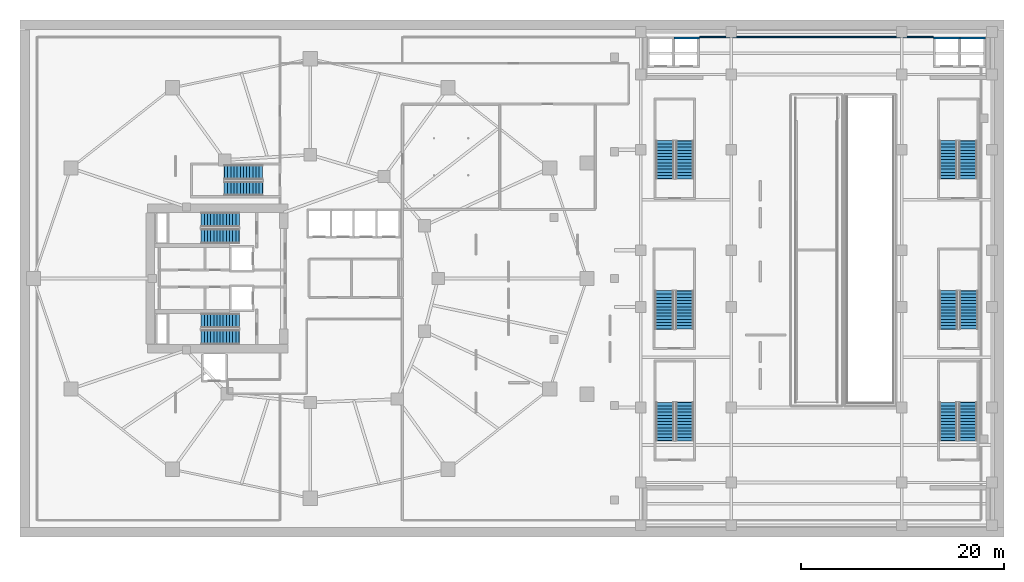
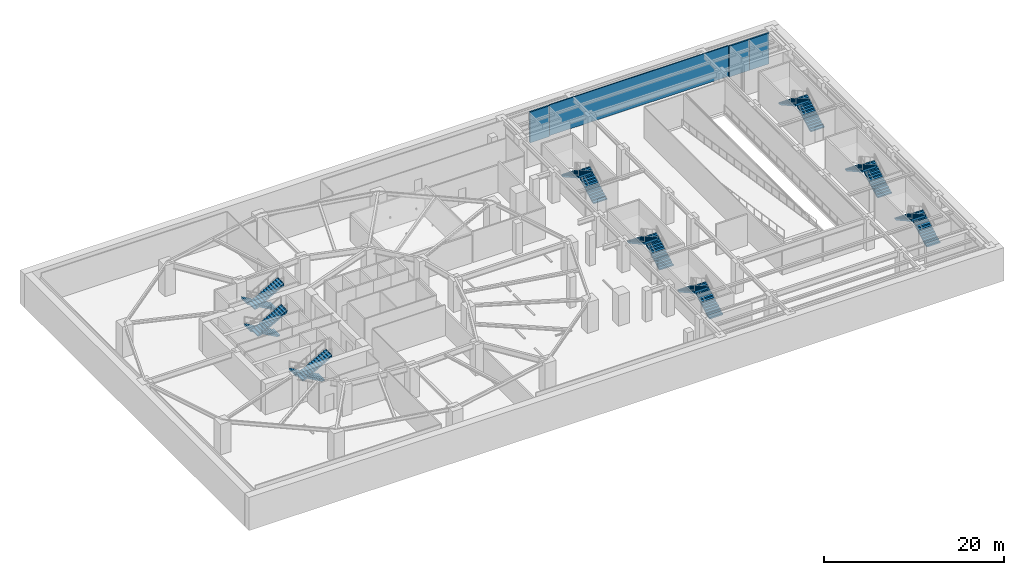
# One storey, part 10 of 16: 18 stair flights, 4 walls, 9 elements without a shape of their own.
"""IFC4 building model written with IfcOpenShell, lengths in metres."""

from ifc_helpers import new_model, si_unit, direction, frame, frame_2d, origin, place, context, subcontext, project, spatial, polyline, rectangle, outline, extrude, material, layer, layer_set, type_object, element, aggregate, save


model = new_model("IFC4")

# Units and contexts
model_context = context("Model", 3, precision=1e-05, world=origin(), true_north=direction((0.0, 1.0)))
body_context = subcontext(model_context, "Body", "Model", "MODEL_VIEW")
ifc_project = project(units=[si_unit("LENGTHUNIT", "METRE"), si_unit("AREAUNIT", "SQUARE_METRE"), si_unit("VOLUMEUNIT", "CUBIC_METRE"), si_unit("PLANEANGLEUNIT", "RADIAN"), si_unit("MASSUNIT", "GRAM", prefix="KILO")], contexts=[model_context])

# Site, building, storey
site_placement = place(None, origin())
site = spatial("IfcSite", under=ifc_project, at=site_placement, CompositionType="ELEMENT")
building_placement = place(site_placement, origin())
building = spatial("IfcBuilding", under=site, at=building_placement, Name="Kolvaren Gate Tower and Convention Centre", CompositionType="ELEMENT")
storey_placement = place(building_placement, frame((0.0, 0.0, -9.0)))
storey = spatial("IfcBuildingStorey", under=building, at=storey_placement, Name="B2", CompositionType="ELEMENT", Elevation=-9.0)

# Walls
ifc_material_1 = material(Name="Fire-Rated Acoustic Gypsum Stud Partition", Category="gypsum")
ifc_layer_1 = layer(ifc_material_1, 0.1201171875)
ifc_layer_set_1 = layer_set([ifc_layer_1], Name="Fire-Rated Acoustic Gypsum Stud Partition")
wall_type_1 = type_object("IfcWallType", Name="ARCH-WL-PART-120", PredefinedType="PARTITIONING", material=ifc_layer_set_1)
wall_1_placement = place(storey_placement, frame((68.5, 50.800048828125, 0.0), z_axis=(0.0, 0.0, 1.0), x_axis=(1.0, 0.0, 0.0)))
element("IfcWall", 1, at=wall_1_placement, inside=storey, type_object=wall_type_1, Name="Interior Partition WL-B2-INT-031", PredefinedType="PARTITIONING", context=body_context, shape_type="SweptSolid", body=[
    extrude(rectangle(XDim=23.0, YDim=0.1201171875, at=frame_2d((11.5, 0.0))), origin(), (0.0, 0.0, 1.0), 4.179931640625),
])
ifc_material_2 = material(Name="Autoclaved Aerated Masonry Blockwork Class 4 (4.0 MPa)", Category="masonry")
ifc_layer_2 = layer(ifc_material_2, 0.199951171875)
ifc_layer_set_2 = layer_set([ifc_layer_2], Name="Autoclaved Aerated Masonry Blockwork Class 4 (4.0 MPa)")
wall_type_2 = type_object("IfcWallType", Name="ARCH-WL-SHAFT-200", PredefinedType="SOLIDWALL", material=ifc_layer_set_2)
wall_2_placement = place(storey_placement, frame((65.949951171875, 50.699951171875, 0.0), z_axis=(0.0, 0.0, 1.0), x_axis=(1.0, 0.0, 0.0)))
element("IfcWall", 2, at=wall_2_placement, inside=storey, type_object=wall_type_2, Name="Elevator CL-02 B2 Fire Shaft Wall N", PredefinedType="SOLIDWALL", context=body_context, shape_type="SweptSolid", body=[
    extrude(rectangle(XDim=2.5, YDim=0.199951171875, at=frame_2d((1.25, 0.0))), origin(), (0.0, 0.0, 1.0), 4.179931640625),
])
wall_3_placement = place(storey_placement, frame((91.550048828125, 50.699951171875, 0.0), z_axis=(0.0, 0.0, 1.0), x_axis=(1.0, 0.0, 0.0)))
element("IfcWall", 3, at=wall_3_placement, inside=storey, type_object=wall_type_2, Name="Elevator CL-03 B2 Fire Shaft Wall N", PredefinedType="SOLIDWALL", context=body_context, shape_type="SweptSolid", body=[
    extrude(rectangle(XDim=2.599853515625, YDim=0.199951171875, at=frame_2d((1.2998046875, 0.0))), origin(), (0.0, 0.0, 1.0), 4.179931640625),
])
wall_4_placement = place(storey_placement, frame((94.14990234375, 50.699951171875, 0.0), z_axis=(0.0, 0.0, 1.0), x_axis=(1.0, 0.0, 0.0)))
element("IfcWall", 4, at=wall_4_placement, inside=storey, type_object=wall_type_2, Name="Elevator CL-04 B2 Fire Shaft Wall N", PredefinedType="SOLIDWALL", context=body_context, shape_type="SweptSolid", body=[
    extrude(rectangle(XDim=2.5, YDim=0.199951171875, at=frame_2d((1.25, 0.0))), origin(), (0.0, 0.0, 1.0), 4.179931640625),
])

# Stair, stair flights
ifc_material_3 = material(Name="Concrete C50/60", Category="concrete")
stair_type_1 = type_object("IfcStairType", Name="STR-STAIR-CORE", PredefinedType="HALF_TURN_STAIR", material=ifc_material_3)
stair_1_placement = place(storey_placement, origin())
stair_1 = element("IfcStair", 5, at=stair_1_placement, inside=storey, type_object=stair_type_1, Name="B2 Tower North Exit Stair ST-T1", PredefinedType="HALF_TURN_STAIR")
stair_flight_type_1 = type_object("IfcStairFlightType", Name="STR-SFL-1420", PredefinedType="STRAIGHT", material=ifc_material_3)
stair_flight_1_placement = place(storey_placement, frame((23.10009765625, 32.7900390625, 0.0), z_axis=(0.0, 0.0, 1.0), x_axis=(-1.0, 0.0, 0.0)))
stair_flight_1 = element("IfcStairFlight", 6, at=stair_flight_1_placement, type_object=stair_flight_type_1, Name="ST-T1 flight 1", NumberOfRisers=13, NumberOfTreads=12, PredefinedType="STRAIGHT", RiserHeight=0.173076923, TreadLength=0.31, context=body_context, shape_type="SweptSolid", body=[
    extrude(outline(polyline([(-0.034912109375, 0.0), (-0.034912109375, 0.173095703125), (0.31005859375, 0.173095703125), (0.31005859375, 0.34619140625), (0.6201171875, 0.34619140625), (0.6201171875, 0.519287109375), (0.929931640625, 0.519287109375), (0.929931640625, 0.6923828125), (1.239990234375, 0.6923828125), (1.239990234375, 0.865478515625), (1.550048828125, 0.865478515625), (1.550048828125, 1.03857421875), (1.860107421875, 1.03857421875), (1.860107421875, 1.21142578125), (2.169921875, 1.21142578125), (2.169921875, 1.384521484375), (2.47998046875, 1.384521484375), (2.47998046875, 1.5576171875), (2.7900390625, 1.5576171875), (2.7900390625, 1.730712890625), (3.10009765625, 1.730712890625), (3.10009765625, 1.90380859375), (3.409912109375, 1.90380859375), (3.409912109375, 2.076904296875), (3.719970703125, 2.076904296875), (3.719970703125, 2.25), (3.764892578125, 2.25), (3.764892578125, 2.090087890625), (3.719970703125, 1.9052734375), (0.3076171875, 0.0), (-0.034912109375, 0.0)])), frame((0.0, 0.7099609375, 0.0), z_axis=(0.0, -1.0, 0.0), x_axis=(1.0, 0.0, 0.0)), (0.0, 0.0, 1.0), 1.419921875),
])
stair_flight_2_placement = place(storey_placement, frame((19.3798828125, 31.169921875, 2.25), z_axis=(0.0, 0.0, 1.0), x_axis=(1.0, 0.0, 0.0)))
stair_flight_2 = element("IfcStairFlight", 7, at=stair_flight_2_placement, type_object=stair_flight_type_1, Name="ST-T1 flight 2", NumberOfRisers=13, NumberOfTreads=12, PredefinedType="STRAIGHT", RiserHeight=0.173076923, TreadLength=0.31, context=body_context, shape_type="SweptSolid", body=[
    extrude(outline(polyline([(-0.034912109375, 0.0), (-0.034912109375, 0.173095703125), (0.31005859375, 0.173095703125), (0.31005859375, 0.34619140625), (0.6201171875, 0.34619140625), (0.6201171875, 0.519287109375), (0.929931640625, 0.519287109375), (0.929931640625, 0.6923828125), (1.239990234375, 0.6923828125), (1.239990234375, 0.865478515625), (1.550048828125, 0.865478515625), (1.550048828125, 1.03857421875), (1.860107421875, 1.03857421875), (1.860107421875, 1.21142578125), (2.169921875, 1.21142578125), (2.169921875, 1.384521484375), (2.47998046875, 1.384521484375), (2.47998046875, 1.5576171875), (2.7900390625, 1.5576171875), (2.7900390625, 1.730712890625), (3.10009765625, 1.730712890625), (3.10009765625, 1.90380859375), (3.409912109375, 1.90380859375), (3.409912109375, 2.076904296875), (3.719970703125, 2.076904296875), (3.719970703125, 2.25), (3.764892578125, 2.25), (3.764892578125, 2.090087890625), (3.719970703125, 1.9052734375), (0.3076171875, 0.0), (-0.034912109375, 0.0)])), frame((0.0, 0.7099609375, 0.0), z_axis=(0.0, -1.0, 0.0), x_axis=(1.0, 0.0, 0.0)), (0.0, 0.0, 1.0), 1.419921875),
])
aggregate(stair_1, [stair_flight_1, stair_flight_2])

stair_2_placement = place(storey_placement, origin())
stair_2 = element("IfcStair", 8, at=stair_2_placement, inside=storey, type_object=stair_type_1, Name="B2 Tower South Exit Stair ST-T2", PredefinedType="HALF_TURN_STAIR")
stair_flight_3_placement = place(storey_placement, frame((23.10009765625, 22.830078125, 0.0), z_axis=(0.0, 0.0, 1.0), x_axis=(-1.0, 0.0, 0.0)))
stair_flight_3 = element("IfcStairFlight", 9, at=stair_flight_3_placement, type_object=stair_flight_type_1, Name="ST-T2 flight 1", NumberOfRisers=13, NumberOfTreads=12, PredefinedType="STRAIGHT", RiserHeight=0.173076923, TreadLength=0.31, context=body_context, shape_type="SweptSolid", body=[
    extrude(outline(polyline([(-0.034912109375, 0.0), (-0.034912109375, 0.173095703125), (0.31005859375, 0.173095703125), (0.31005859375, 0.34619140625), (0.6201171875, 0.34619140625), (0.6201171875, 0.519287109375), (0.929931640625, 0.519287109375), (0.929931640625, 0.6923828125), (1.239990234375, 0.6923828125), (1.239990234375, 0.865478515625), (1.550048828125, 0.865478515625), (1.550048828125, 1.03857421875), (1.860107421875, 1.03857421875), (1.860107421875, 1.21142578125), (2.169921875, 1.21142578125), (2.169921875, 1.384521484375), (2.47998046875, 1.384521484375), (2.47998046875, 1.5576171875), (2.7900390625, 1.5576171875), (2.7900390625, 1.730712890625), (3.10009765625, 1.730712890625), (3.10009765625, 1.90380859375), (3.409912109375, 1.90380859375), (3.409912109375, 2.076904296875), (3.719970703125, 2.076904296875), (3.719970703125, 2.25), (3.764892578125, 2.25), (3.764892578125, 2.090087890625), (3.719970703125, 1.9052734375), (0.3076171875, 0.0), (-0.034912109375, 0.0)])), frame((0.0, 0.7099609375, 0.0), z_axis=(0.0, -1.0, 0.0), x_axis=(1.0, 0.0, 0.0)), (0.0, 0.0, 1.0), 1.419921875),
])
stair_flight_4_placement = place(storey_placement, frame((19.3798828125, 21.2099609375, 2.25), z_axis=(0.0, 0.0, 1.0), x_axis=(1.0, 0.0, 0.0)))
stair_flight_4 = element("IfcStairFlight", 10, at=stair_flight_4_placement, type_object=stair_flight_type_1, Name="ST-T2 flight 2", NumberOfRisers=13, NumberOfTreads=12, PredefinedType="STRAIGHT", RiserHeight=0.173076923, TreadLength=0.31, context=body_context, shape_type="SweptSolid", body=[
    extrude(outline(polyline([(-0.034912109375, 0.0), (-0.034912109375, 0.173095703125), (0.31005859375, 0.173095703125), (0.31005859375, 0.34619140625), (0.6201171875, 0.34619140625), (0.6201171875, 0.519287109375), (0.929931640625, 0.519287109375), (0.929931640625, 0.6923828125), (1.239990234375, 0.6923828125), (1.239990234375, 0.865478515625), (1.550048828125, 0.865478515625), (1.550048828125, 1.03857421875), (1.860107421875, 1.03857421875), (1.860107421875, 1.21142578125), (2.169921875, 1.21142578125), (2.169921875, 1.384521484375), (2.47998046875, 1.384521484375), (2.47998046875, 1.5576171875), (2.7900390625, 1.5576171875), (2.7900390625, 1.730712890625), (3.10009765625, 1.730712890625), (3.10009765625, 1.90380859375), (3.409912109375, 1.90380859375), (3.409912109375, 2.076904296875), (3.719970703125, 2.076904296875), (3.719970703125, 2.25), (3.764892578125, 2.25), (3.764892578125, 2.090087890625), (3.719970703125, 1.9052734375), (0.3076171875, 0.0), (-0.034912109375, 0.0)])), frame((0.0, 0.7099609375, 0.0), z_axis=(0.0, -1.0, 0.0), x_axis=(1.0, 0.0, 0.0)), (0.0, 0.0, 1.0), 1.419921875),
])
aggregate(stair_2, [stair_flight_3, stair_flight_4])

stair_3_placement = place(storey_placement, origin())
stair_3 = element("IfcStair", 11, at=stair_3_placement, inside=storey, type_object=stair_type_1, Name="B2 Tower Mid-Zone Exit Stair ST-T3", PredefinedType="HALF_TURN_STAIR")
stair_flight_5_placement = place(storey_placement, frame((25.39990234375, 37.489990234375, 0.0), z_axis=(0.0, 0.0, 1.0), x_axis=(-1.0, 0.0, 0.0)))
stair_flight_5 = element("IfcStairFlight", 12, at=stair_flight_5_placement, type_object=stair_flight_type_1, Name="ST-T3 flight 1", NumberOfRisers=13, NumberOfTreads=12, PredefinedType="STRAIGHT", RiserHeight=0.173076923, TreadLength=0.31, context=body_context, shape_type="SweptSolid", body=[
    extrude(outline(polyline([(-0.034912109375, 0.0), (-0.034912109375, 0.173095703125), (0.31005859375, 0.173095703125), (0.31005859375, 0.34619140625), (0.6201171875, 0.34619140625), (0.6201171875, 0.519287109375), (0.929931640625, 0.519287109375), (0.929931640625, 0.6923828125), (1.239990234375, 0.6923828125), (1.239990234375, 0.865478515625), (1.550048828125, 0.865478515625), (1.550048828125, 1.03857421875), (1.860107421875, 1.03857421875), (1.860107421875, 1.21142578125), (2.169921875, 1.21142578125), (2.169921875, 1.384521484375), (2.47998046875, 1.384521484375), (2.47998046875, 1.5576171875), (2.7900390625, 1.5576171875), (2.7900390625, 1.730712890625), (3.10009765625, 1.730712890625), (3.10009765625, 1.90380859375), (3.409912109375, 1.90380859375), (3.409912109375, 2.076904296875), (3.719970703125, 2.076904296875), (3.719970703125, 2.25), (3.764892578125, 2.25), (3.764892578125, 2.090087890625), (3.719970703125, 1.9052734375), (0.3076171875, 0.0), (-0.034912109375, 0.0)])), frame((0.0, 0.7099609375, 0.0), z_axis=(0.0, -1.0, 0.0), x_axis=(1.0, 0.0, 0.0)), (0.0, 0.0, 1.0), 1.419921875),
])
stair_flight_6_placement = place(storey_placement, frame((21.679931640625, 35.8701171875, 2.25), z_axis=(0.0, 0.0, 1.0), x_axis=(1.0, 0.0, 0.0)))
stair_flight_6 = element("IfcStairFlight", 13, at=stair_flight_6_placement, type_object=stair_flight_type_1, Name="ST-T3 flight 2", NumberOfRisers=13, NumberOfTreads=12, PredefinedType="STRAIGHT", RiserHeight=0.173076923, TreadLength=0.31, context=body_context, shape_type="SweptSolid", body=[
    extrude(outline(polyline([(-0.034912109375, 0.0), (-0.034912109375, 0.173095703125), (0.31005859375, 0.173095703125), (0.31005859375, 0.34619140625), (0.6201171875, 0.34619140625), (0.6201171875, 0.519287109375), (0.929931640625, 0.519287109375), (0.929931640625, 0.6923828125), (1.239990234375, 0.6923828125), (1.239990234375, 0.865478515625), (1.550048828125, 0.865478515625), (1.550048828125, 1.03857421875), (1.860107421875, 1.03857421875), (1.860107421875, 1.21142578125), (2.169921875, 1.21142578125), (2.169921875, 1.384521484375), (2.47998046875, 1.384521484375), (2.47998046875, 1.5576171875), (2.7900390625, 1.5576171875), (2.7900390625, 1.730712890625), (3.10009765625, 1.730712890625), (3.10009765625, 1.90380859375), (3.409912109375, 1.90380859375), (3.409912109375, 2.076904296875), (3.719970703125, 2.076904296875), (3.719970703125, 2.25), (3.764892578125, 2.25), (3.764892578125, 2.090087890625), (3.719970703125, 1.9052734375), (0.3076171875, 0.0), (-0.034912109375, 0.0)])), frame((0.0, 0.7099609375, 0.0), z_axis=(0.0, -1.0, 0.0), x_axis=(1.0, 0.0, 0.0)), (0.0, 0.0, 1.0), 1.419921875),
])
aggregate(stair_3, [stair_flight_5, stair_flight_6])

stair_type_2 = type_object("IfcStairType", Name="STR-STAIR-CONV", PredefinedType="HALF_TURN_STAIR", material=ifc_material_3)
stair_4_placement = place(storey_placement, origin())
stair_4 = element("IfcStair", 14, at=stair_4_placement, inside=storey, type_object=stair_type_2, Name="B2 Convention NW Exit Stair ST-C1", PredefinedType="HALF_TURN_STAIR")
stair_flight_type_2 = type_object("IfcStairFlightType", Name="STR-SFL-1750", PredefinedType="STRAIGHT", material=ifc_material_3)
stair_flight_7_placement = place(storey_placement, frame((67.02490234375, 36.85009765625, 0.0), z_axis=(0.0, 0.0, 1.0), x_axis=(0.0, 1.0, 0.0)))
stair_flight_7 = element("IfcStairFlight", 15, at=stair_flight_7_placement, type_object=stair_flight_type_2, Name="ST-C1 flight 1", NumberOfRisers=13, NumberOfTreads=12, PredefinedType="STRAIGHT", RiserHeight=0.173076923, TreadLength=0.31, context=body_context, shape_type="SweptSolid", body=[
    extrude(outline(polyline([(-0.034912109375, 0.0), (-0.034912109375, 0.173095703125), (0.31005859375, 0.173095703125), (0.31005859375, 0.34619140625), (0.6201171875, 0.34619140625), (0.6201171875, 0.519287109375), (0.929931640625, 0.519287109375), (0.929931640625, 0.6923828125), (1.239990234375, 0.6923828125), (1.239990234375, 0.865478515625), (1.550048828125, 0.865478515625), (1.550048828125, 1.03857421875), (1.860107421875, 1.03857421875), (1.860107421875, 1.21142578125), (2.169921875, 1.21142578125), (2.169921875, 1.384521484375), (2.47998046875, 1.384521484375), (2.47998046875, 1.5576171875), (2.7900390625, 1.5576171875), (2.7900390625, 1.730712890625), (3.10009765625, 1.730712890625), (3.10009765625, 1.90380859375), (3.409912109375, 1.90380859375), (3.409912109375, 2.076904296875), (3.719970703125, 2.076904296875), (3.719970703125, 2.25), (3.764892578125, 2.25), (3.764892578125, 2.090087890625), (3.719970703125, 1.9052734375), (0.3076171875, 0.0), (-0.034912109375, 0.0)])), frame((0.0, 0.875, 0.0), z_axis=(0.0, -1.0, 0.0), x_axis=(1.0, 0.0, 0.0)), (0.0, 0.0, 1.0), 1.75),
])
stair_flight_8_placement = place(storey_placement, frame((65.074951171875, 40.570068359375, 2.25), z_axis=(0.0, 0.0, 1.0), x_axis=(0.0, -1.0, 0.0)))
stair_flight_8 = element("IfcStairFlight", 16, at=stair_flight_8_placement, type_object=stair_flight_type_2, Name="ST-C1 flight 2", NumberOfRisers=13, NumberOfTreads=12, PredefinedType="STRAIGHT", RiserHeight=0.173076923, TreadLength=0.31, context=body_context, shape_type="SweptSolid", body=[
    extrude(outline(polyline([(-0.034912109375, 0.0), (-0.034912109375, 0.173095703125), (0.31005859375, 0.173095703125), (0.31005859375, 0.34619140625), (0.6201171875, 0.34619140625), (0.6201171875, 0.519287109375), (0.929931640625, 0.519287109375), (0.929931640625, 0.6923828125), (1.239990234375, 0.6923828125), (1.239990234375, 0.865478515625), (1.550048828125, 0.865478515625), (1.550048828125, 1.03857421875), (1.860107421875, 1.03857421875), (1.860107421875, 1.21142578125), (2.169921875, 1.21142578125), (2.169921875, 1.384521484375), (2.47998046875, 1.384521484375), (2.47998046875, 1.5576171875), (2.7900390625, 1.5576171875), (2.7900390625, 1.730712890625), (3.10009765625, 1.730712890625), (3.10009765625, 1.90380859375), (3.409912109375, 1.90380859375), (3.409912109375, 2.076904296875), (3.719970703125, 2.076904296875), (3.719970703125, 2.25), (3.764892578125, 2.25), (3.764892578125, 2.090087890625), (3.719970703125, 1.9052734375), (0.3076171875, 0.0), (-0.034912109375, 0.0)])), frame((0.0, 0.875, 0.0), z_axis=(0.0, -1.0, 0.0), x_axis=(1.0, 0.0, 0.0)), (0.0, 0.0, 1.0), 1.75),
])
aggregate(stair_4, [stair_flight_7, stair_flight_8])

stair_5_placement = place(storey_placement, origin())
stair_5 = element("IfcStair", 17, at=stair_5_placement, inside=storey, type_object=stair_type_2, Name="B2 Convention SW Exit Stair ST-C2", PredefinedType="HALF_TURN_STAIR")
stair_flight_9_placement = place(storey_placement, frame((67.02490234375, 11.050048828125, 0.0), z_axis=(0.0, 0.0, 1.0), x_axis=(0.0, 1.0, 0.0)))
stair_flight_9 = element("IfcStairFlight", 18, at=stair_flight_9_placement, type_object=stair_flight_type_2, Name="ST-C2 flight 1", NumberOfRisers=13, NumberOfTreads=12, PredefinedType="STRAIGHT", RiserHeight=0.173076923, TreadLength=0.31, context=body_context, shape_type="SweptSolid", body=[
    extrude(outline(polyline([(-0.034912109375, 0.0), (-0.034912109375, 0.173095703125), (0.31005859375, 0.173095703125), (0.31005859375, 0.34619140625), (0.6201171875, 0.34619140625), (0.6201171875, 0.519287109375), (0.929931640625, 0.519287109375), (0.929931640625, 0.6923828125), (1.239990234375, 0.6923828125), (1.239990234375, 0.865478515625), (1.550048828125, 0.865478515625), (1.550048828125, 1.03857421875), (1.860107421875, 1.03857421875), (1.860107421875, 1.21142578125), (2.169921875, 1.21142578125), (2.169921875, 1.384521484375), (2.47998046875, 1.384521484375), (2.47998046875, 1.5576171875), (2.7900390625, 1.5576171875), (2.7900390625, 1.730712890625), (3.10009765625, 1.730712890625), (3.10009765625, 1.90380859375), (3.409912109375, 1.90380859375), (3.409912109375, 2.076904296875), (3.719970703125, 2.076904296875), (3.719970703125, 2.25), (3.764892578125, 2.25), (3.764892578125, 2.090087890625), (3.719970703125, 1.9052734375), (0.3076171875, 0.0), (-0.034912109375, 0.0)])), frame((0.0, 0.875, 0.0), z_axis=(0.0, -1.0, 0.0), x_axis=(1.0, 0.0, 0.0)), (0.0, 0.0, 1.0), 1.75),
])
stair_flight_10_placement = place(storey_placement, frame((65.074951171875, 14.77001953125, 2.25), z_axis=(0.0, 0.0, 1.0), x_axis=(0.0, -1.0, 0.0)))
stair_flight_10 = element("IfcStairFlight", 19, at=stair_flight_10_placement, type_object=stair_flight_type_2, Name="ST-C2 flight 2", NumberOfRisers=13, NumberOfTreads=12, PredefinedType="STRAIGHT", RiserHeight=0.173076923, TreadLength=0.31, context=body_context, shape_type="SweptSolid", body=[
    extrude(outline(polyline([(-0.034912109375, 0.0), (-0.034912109375, 0.173095703125), (0.31005859375, 0.173095703125), (0.31005859375, 0.34619140625), (0.6201171875, 0.34619140625), (0.6201171875, 0.519287109375), (0.929931640625, 0.519287109375), (0.929931640625, 0.6923828125), (1.239990234375, 0.6923828125), (1.239990234375, 0.865478515625), (1.550048828125, 0.865478515625), (1.550048828125, 1.03857421875), (1.860107421875, 1.03857421875), (1.860107421875, 1.21142578125), (2.169921875, 1.21142578125), (2.169921875, 1.384521484375), (2.47998046875, 1.384521484375), (2.47998046875, 1.5576171875), (2.7900390625, 1.5576171875), (2.7900390625, 1.730712890625), (3.10009765625, 1.730712890625), (3.10009765625, 1.90380859375), (3.409912109375, 1.90380859375), (3.409912109375, 2.076904296875), (3.719970703125, 2.076904296875), (3.719970703125, 2.25), (3.764892578125, 2.25), (3.764892578125, 2.090087890625), (3.719970703125, 1.9052734375), (0.3076171875, 0.0), (-0.034912109375, 0.0)])), frame((0.0, 0.875, 0.0), z_axis=(0.0, -1.0, 0.0), x_axis=(1.0, 0.0, 0.0)), (0.0, 0.0, 1.0), 1.75),
])
aggregate(stair_5, [stair_flight_9, stair_flight_10])

stair_6_placement = place(storey_placement, origin())
stair_6 = element("IfcStair", 20, at=stair_6_placement, inside=storey, type_object=stair_type_2, Name="B2 Convention NE Exit Stair ST-C3", PredefinedType="HALF_TURN_STAIR")
stair_flight_11_placement = place(storey_placement, frame((94.925048828125, 36.85009765625, 0.0), z_axis=(0.0, 0.0, 1.0), x_axis=(0.0, 1.0, 0.0)))
stair_flight_11 = element("IfcStairFlight", 21, at=stair_flight_11_placement, type_object=stair_flight_type_2, Name="ST-C3 flight 1", NumberOfRisers=13, NumberOfTreads=12, PredefinedType="STRAIGHT", RiserHeight=0.173076923, TreadLength=0.31, context=body_context, shape_type="SweptSolid", body=[
    extrude(outline(polyline([(-0.034912109375, 0.0), (-0.034912109375, 0.173095703125), (0.31005859375, 0.173095703125), (0.31005859375, 0.34619140625), (0.6201171875, 0.34619140625), (0.6201171875, 0.519287109375), (0.929931640625, 0.519287109375), (0.929931640625, 0.6923828125), (1.239990234375, 0.6923828125), (1.239990234375, 0.865478515625), (1.550048828125, 0.865478515625), (1.550048828125, 1.03857421875), (1.860107421875, 1.03857421875), (1.860107421875, 1.21142578125), (2.169921875, 1.21142578125), (2.169921875, 1.384521484375), (2.47998046875, 1.384521484375), (2.47998046875, 1.5576171875), (2.7900390625, 1.5576171875), (2.7900390625, 1.730712890625), (3.10009765625, 1.730712890625), (3.10009765625, 1.90380859375), (3.409912109375, 1.90380859375), (3.409912109375, 2.076904296875), (3.719970703125, 2.076904296875), (3.719970703125, 2.25), (3.764892578125, 2.25), (3.764892578125, 2.090087890625), (3.719970703125, 1.9052734375), (0.3076171875, 0.0), (-0.034912109375, 0.0)])), frame((0.0, 0.875, 0.0), z_axis=(0.0, -1.0, 0.0), x_axis=(1.0, 0.0, 0.0)), (0.0, 0.0, 1.0), 1.75),
])
stair_flight_12_placement = place(storey_placement, frame((92.97509765625, 40.570068359375, 2.25), z_axis=(0.0, 0.0, 1.0), x_axis=(0.0, -1.0, 0.0)))
stair_flight_12 = element("IfcStairFlight", 22, at=stair_flight_12_placement, type_object=stair_flight_type_2, Name="ST-C3 flight 2", NumberOfRisers=13, NumberOfTreads=12, PredefinedType="STRAIGHT", RiserHeight=0.173076923, TreadLength=0.31, context=body_context, shape_type="SweptSolid", body=[
    extrude(outline(polyline([(-0.034912109375, 0.0), (-0.034912109375, 0.173095703125), (0.31005859375, 0.173095703125), (0.31005859375, 0.34619140625), (0.6201171875, 0.34619140625), (0.6201171875, 0.519287109375), (0.929931640625, 0.519287109375), (0.929931640625, 0.6923828125), (1.239990234375, 0.6923828125), (1.239990234375, 0.865478515625), (1.550048828125, 0.865478515625), (1.550048828125, 1.03857421875), (1.860107421875, 1.03857421875), (1.860107421875, 1.21142578125), (2.169921875, 1.21142578125), (2.169921875, 1.384521484375), (2.47998046875, 1.384521484375), (2.47998046875, 1.5576171875), (2.7900390625, 1.5576171875), (2.7900390625, 1.730712890625), (3.10009765625, 1.730712890625), (3.10009765625, 1.90380859375), (3.409912109375, 1.90380859375), (3.409912109375, 2.076904296875), (3.719970703125, 2.076904296875), (3.719970703125, 2.25), (3.764892578125, 2.25), (3.764892578125, 2.090087890625), (3.719970703125, 1.9052734375), (0.3076171875, 0.0), (-0.034912109375, 0.0)])), frame((0.0, 0.875, 0.0), z_axis=(0.0, -1.0, 0.0), x_axis=(1.0, 0.0, 0.0)), (0.0, 0.0, 1.0), 1.75),
])
aggregate(stair_6, [stair_flight_11, stair_flight_12])

stair_7_placement = place(storey_placement, origin())
stair_7 = element("IfcStair", 23, at=stair_7_placement, inside=storey, type_object=stair_type_2, Name="B2 Convention SE Exit Stair ST-C4", PredefinedType="HALF_TURN_STAIR")
stair_flight_13_placement = place(storey_placement, frame((94.925048828125, 11.050048828125, 0.0), z_axis=(0.0, 0.0, 1.0), x_axis=(0.0, 1.0, 0.0)))
stair_flight_13 = element("IfcStairFlight", 24, at=stair_flight_13_placement, type_object=stair_flight_type_2, Name="ST-C4 flight 1", NumberOfRisers=13, NumberOfTreads=12, PredefinedType="STRAIGHT", RiserHeight=0.173076923, TreadLength=0.31, context=body_context, shape_type="SweptSolid", body=[
    extrude(outline(polyline([(-0.034912109375, 0.0), (-0.034912109375, 0.173095703125), (0.31005859375, 0.173095703125), (0.31005859375, 0.34619140625), (0.6201171875, 0.34619140625), (0.6201171875, 0.519287109375), (0.929931640625, 0.519287109375), (0.929931640625, 0.6923828125), (1.239990234375, 0.6923828125), (1.239990234375, 0.865478515625), (1.550048828125, 0.865478515625), (1.550048828125, 1.03857421875), (1.860107421875, 1.03857421875), (1.860107421875, 1.21142578125), (2.169921875, 1.21142578125), (2.169921875, 1.384521484375), (2.47998046875, 1.384521484375), (2.47998046875, 1.5576171875), (2.7900390625, 1.5576171875), (2.7900390625, 1.730712890625), (3.10009765625, 1.730712890625), (3.10009765625, 1.90380859375), (3.409912109375, 1.90380859375), (3.409912109375, 2.076904296875), (3.719970703125, 2.076904296875), (3.719970703125, 2.25), (3.764892578125, 2.25), (3.764892578125, 2.090087890625), (3.719970703125, 1.9052734375), (0.3076171875, 0.0), (-0.034912109375, 0.0)])), frame((0.0, 0.875, 0.0), z_axis=(0.0, -1.0, 0.0), x_axis=(1.0, 0.0, 0.0)), (0.0, 0.0, 1.0), 1.75),
])
stair_flight_14_placement = place(storey_placement, frame((92.97509765625, 14.77001953125, 2.25), z_axis=(0.0, 0.0, 1.0), x_axis=(0.0, -1.0, 0.0)))
stair_flight_14 = element("IfcStairFlight", 25, at=stair_flight_14_placement, type_object=stair_flight_type_2, Name="ST-C4 flight 2", NumberOfRisers=13, NumberOfTreads=12, PredefinedType="STRAIGHT", RiserHeight=0.173076923, TreadLength=0.31, context=body_context, shape_type="SweptSolid", body=[
    extrude(outline(polyline([(-0.034912109375, 0.0), (-0.034912109375, 0.173095703125), (0.31005859375, 0.173095703125), (0.31005859375, 0.34619140625), (0.6201171875, 0.34619140625), (0.6201171875, 0.519287109375), (0.929931640625, 0.519287109375), (0.929931640625, 0.6923828125), (1.239990234375, 0.6923828125), (1.239990234375, 0.865478515625), (1.550048828125, 0.865478515625), (1.550048828125, 1.03857421875), (1.860107421875, 1.03857421875), (1.860107421875, 1.21142578125), (2.169921875, 1.21142578125), (2.169921875, 1.384521484375), (2.47998046875, 1.384521484375), (2.47998046875, 1.5576171875), (2.7900390625, 1.5576171875), (2.7900390625, 1.730712890625), (3.10009765625, 1.730712890625), (3.10009765625, 1.90380859375), (3.409912109375, 1.90380859375), (3.409912109375, 2.076904296875), (3.719970703125, 2.076904296875), (3.719970703125, 2.25), (3.764892578125, 2.25), (3.764892578125, 2.090087890625), (3.719970703125, 1.9052734375), (0.3076171875, 0.0), (-0.034912109375, 0.0)])), frame((0.0, 0.875, 0.0), z_axis=(0.0, -1.0, 0.0), x_axis=(1.0, 0.0, 0.0)), (0.0, 0.0, 1.0), 1.75),
])
aggregate(stair_7, [stair_flight_13, stair_flight_14])

stair_8_placement = place(storey_placement, origin())
stair_8 = element("IfcStair", 26, at=stair_8_placement, inside=storey, type_object=stair_type_2, Name="B2 Convention West Assembly Stair ST-C5", PredefinedType="HALF_TURN_STAIR")
stair_flight_15_placement = place(storey_placement, frame((67.0, 22.050048828125, 0.0), z_axis=(0.0, 0.0, 1.0), x_axis=(0.0, 1.0, 0.0)))
stair_flight_15 = element("IfcStairFlight", 27, at=stair_flight_15_placement, type_object=stair_flight_type_2, Name="ST-C5 flight 1", NumberOfRisers=13, NumberOfTreads=12, PredefinedType="STRAIGHT", RiserHeight=0.173076923, TreadLength=0.31, context=body_context, shape_type="SweptSolid", body=[
    extrude(outline(polyline([(-0.034912109375, 0.0), (-0.034912109375, 0.173095703125), (0.31005859375, 0.173095703125), (0.31005859375, 0.34619140625), (0.6201171875, 0.34619140625), (0.6201171875, 0.519287109375), (0.929931640625, 0.519287109375), (0.929931640625, 0.6923828125), (1.239990234375, 0.6923828125), (1.239990234375, 0.865478515625), (1.550048828125, 0.865478515625), (1.550048828125, 1.03857421875), (1.860107421875, 1.03857421875), (1.860107421875, 1.21142578125), (2.169921875, 1.21142578125), (2.169921875, 1.384521484375), (2.47998046875, 1.384521484375), (2.47998046875, 1.5576171875), (2.7900390625, 1.5576171875), (2.7900390625, 1.730712890625), (3.10009765625, 1.730712890625), (3.10009765625, 1.90380859375), (3.409912109375, 1.90380859375), (3.409912109375, 2.076904296875), (3.719970703125, 2.076904296875), (3.719970703125, 2.25), (3.764892578125, 2.25), (3.764892578125, 2.090087890625), (3.719970703125, 1.9052734375), (0.3076171875, 0.0), (-0.034912109375, 0.0)])), frame((0.0, 0.89990234375, 0.0), z_axis=(0.0, -1.0, 0.0), x_axis=(1.0, 0.0, 0.0)), (0.0, 0.0, 1.0), 1.800048828125),
])
stair_flight_16_placement = place(storey_placement, frame((65.0, 25.77001953125, 2.25), z_axis=(0.0, 0.0, 1.0), x_axis=(0.0, -1.0, 0.0)))
stair_flight_16 = element("IfcStairFlight", 28, at=stair_flight_16_placement, type_object=stair_flight_type_2, Name="ST-C5 flight 2", NumberOfRisers=13, NumberOfTreads=12, PredefinedType="STRAIGHT", RiserHeight=0.173076923, TreadLength=0.31, context=body_context, shape_type="SweptSolid", body=[
    extrude(outline(polyline([(-0.034912109375, 0.0), (-0.034912109375, 0.173095703125), (0.31005859375, 0.173095703125), (0.31005859375, 0.34619140625), (0.6201171875, 0.34619140625), (0.6201171875, 0.519287109375), (0.929931640625, 0.519287109375), (0.929931640625, 0.6923828125), (1.239990234375, 0.6923828125), (1.239990234375, 0.865478515625), (1.550048828125, 0.865478515625), (1.550048828125, 1.03857421875), (1.860107421875, 1.03857421875), (1.860107421875, 1.21142578125), (2.169921875, 1.21142578125), (2.169921875, 1.384521484375), (2.47998046875, 1.384521484375), (2.47998046875, 1.5576171875), (2.7900390625, 1.5576171875), (2.7900390625, 1.730712890625), (3.10009765625, 1.730712890625), (3.10009765625, 1.90380859375), (3.409912109375, 1.90380859375), (3.409912109375, 2.076904296875), (3.719970703125, 2.076904296875), (3.719970703125, 2.25), (3.764892578125, 2.25), (3.764892578125, 2.090087890625), (3.719970703125, 1.9052734375), (0.3076171875, 0.0), (-0.034912109375, 0.0)])), frame((0.0, 0.89990234375, 0.0), z_axis=(0.0, -1.0, 0.0), x_axis=(1.0, 0.0, 0.0)), (0.0, 0.0, 1.0), 1.800048828125),
])
aggregate(stair_8, [stair_flight_15, stair_flight_16])

stair_9_placement = place(storey_placement, origin())
stair_9 = element("IfcStair", 29, at=stair_9_placement, inside=storey, type_object=stair_type_2, Name="B2 Convention East Assembly Stair ST-C6", PredefinedType="HALF_TURN_STAIR")
stair_flight_17_placement = place(storey_placement, frame((95.0, 22.050048828125, 0.0), z_axis=(0.0, 0.0, 1.0), x_axis=(0.0, 1.0, 0.0)))
stair_flight_17 = element("IfcStairFlight", 30, at=stair_flight_17_placement, type_object=stair_flight_type_2, Name="ST-C6 flight 1", NumberOfRisers=13, NumberOfTreads=12, PredefinedType="STRAIGHT", RiserHeight=0.173076923, TreadLength=0.31, context=body_context, shape_type="SweptSolid", body=[
    extrude(outline(polyline([(-0.034912109375, 0.0), (-0.034912109375, 0.173095703125), (0.31005859375, 0.173095703125), (0.31005859375, 0.34619140625), (0.6201171875, 0.34619140625), (0.6201171875, 0.519287109375), (0.929931640625, 0.519287109375), (0.929931640625, 0.6923828125), (1.239990234375, 0.6923828125), (1.239990234375, 0.865478515625), (1.550048828125, 0.865478515625), (1.550048828125, 1.03857421875), (1.860107421875, 1.03857421875), (1.860107421875, 1.21142578125), (2.169921875, 1.21142578125), (2.169921875, 1.384521484375), (2.47998046875, 1.384521484375), (2.47998046875, 1.5576171875), (2.7900390625, 1.5576171875), (2.7900390625, 1.730712890625), (3.10009765625, 1.730712890625), (3.10009765625, 1.90380859375), (3.409912109375, 1.90380859375), (3.409912109375, 2.076904296875), (3.719970703125, 2.076904296875), (3.719970703125, 2.25), (3.764892578125, 2.25), (3.764892578125, 2.090087890625), (3.719970703125, 1.9052734375), (0.3076171875, 0.0), (-0.034912109375, 0.0)])), frame((0.0, 0.89990234375, 0.0), z_axis=(0.0, -1.0, 0.0), x_axis=(1.0, 0.0, 0.0)), (0.0, 0.0, 1.0), 1.800048828125),
])
stair_flight_18_placement = place(storey_placement, frame((93.0, 25.77001953125, 2.25), z_axis=(0.0, 0.0, 1.0), x_axis=(0.0, -1.0, 0.0)))
stair_flight_18 = element("IfcStairFlight", 31, at=stair_flight_18_placement, type_object=stair_flight_type_2, Name="ST-C6 flight 2", NumberOfRisers=13, NumberOfTreads=12, PredefinedType="STRAIGHT", RiserHeight=0.173076923, TreadLength=0.31, context=body_context, shape_type="SweptSolid", body=[
    extrude(outline(polyline([(-0.034912109375, 0.0), (-0.034912109375, 0.173095703125), (0.31005859375, 0.173095703125), (0.31005859375, 0.34619140625), (0.6201171875, 0.34619140625), (0.6201171875, 0.519287109375), (0.929931640625, 0.519287109375), (0.929931640625, 0.6923828125), (1.239990234375, 0.6923828125), (1.239990234375, 0.865478515625), (1.550048828125, 0.865478515625), (1.550048828125, 1.03857421875), (1.860107421875, 1.03857421875), (1.860107421875, 1.21142578125), (2.169921875, 1.21142578125), (2.169921875, 1.384521484375), (2.47998046875, 1.384521484375), (2.47998046875, 1.5576171875), (2.7900390625, 1.5576171875), (2.7900390625, 1.730712890625), (3.10009765625, 1.730712890625), (3.10009765625, 1.90380859375), (3.409912109375, 1.90380859375), (3.409912109375, 2.076904296875), (3.719970703125, 2.076904296875), (3.719970703125, 2.25), (3.764892578125, 2.25), (3.764892578125, 2.090087890625), (3.719970703125, 1.9052734375), (0.3076171875, 0.0), (-0.034912109375, 0.0)])), frame((0.0, 0.89990234375, 0.0), z_axis=(0.0, -1.0, 0.0), x_axis=(1.0, 0.0, 0.0)), (0.0, 0.0, 1.0), 1.800048828125),
])
aggregate(stair_9, [stair_flight_17, stair_flight_18])

save(model, "model.ifc")
